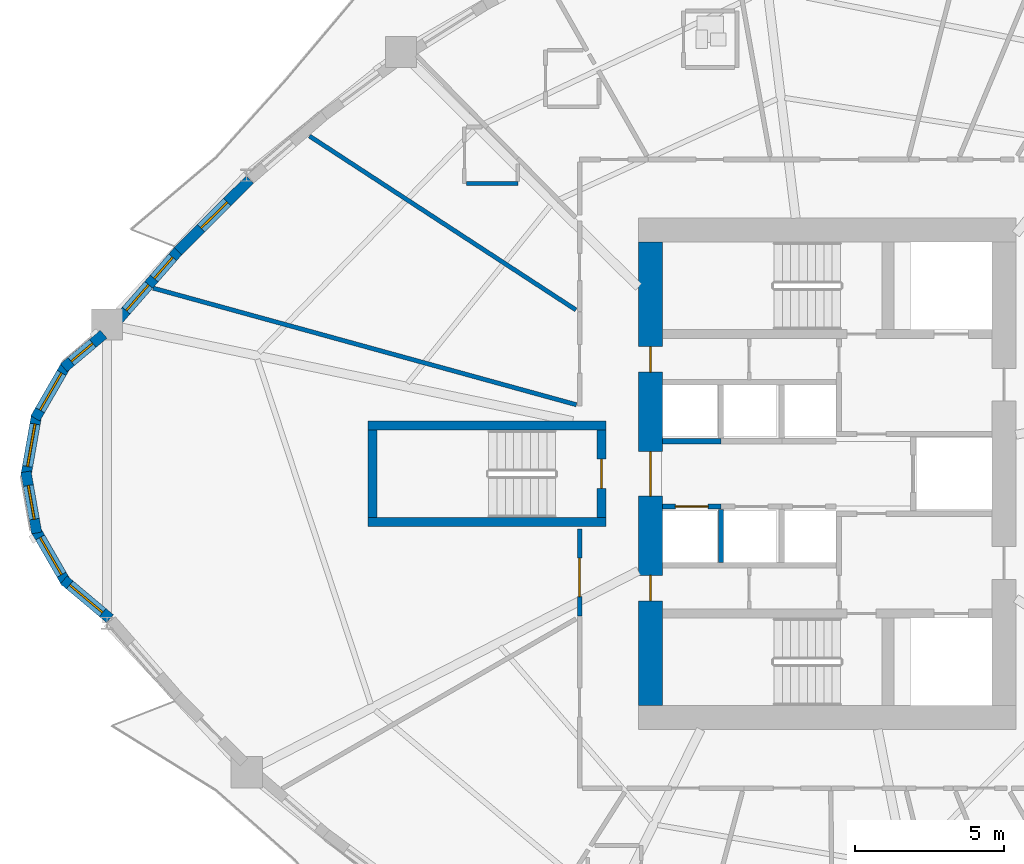
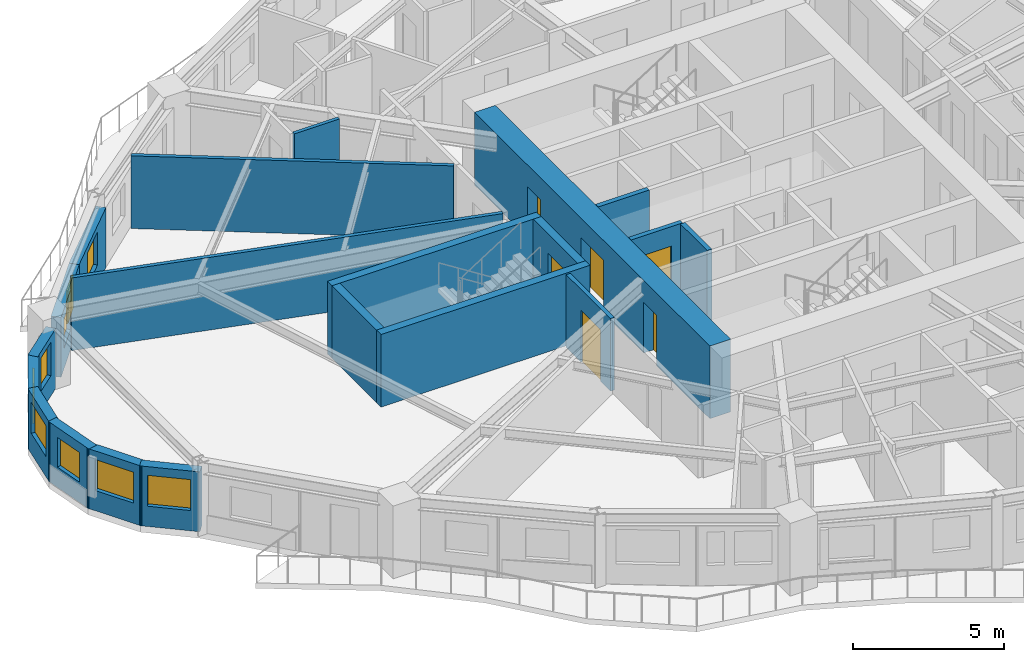
# One storey, part 4 of 13: 20 walls, 9 windows, 6 doors, 15 openings.
"""IFC4 building model written with IfcOpenShell, lengths in metres."""

from ifc_helpers import new_model, si_unit, direction, frame, frame_2d, origin, place, context, subcontext, project, spatial, rectangle, extrude, source, transform, mapped, material, layer, layer_set, type_object, element, fill, save


model = new_model("IFC4")

# Units and contexts
model_context = context("Model", 3, precision=1e-05, world=origin(), true_north=direction((0.0, 1.0)))
body_context = subcontext(model_context, "Body", "Model", "MODEL_VIEW")
ifc_project = project(units=[si_unit("LENGTHUNIT", "METRE"), si_unit("AREAUNIT", "SQUARE_METRE"), si_unit("VOLUMEUNIT", "CUBIC_METRE"), si_unit("PLANEANGLEUNIT", "RADIAN"), si_unit("MASSUNIT", "GRAM", prefix="KILO")], contexts=[model_context])

# Site, building, storey
site_placement = place(None, origin())
site = spatial("IfcSite", under=ifc_project, at=site_placement, CompositionType="ELEMENT")
building_placement = place(site_placement, origin())
building = spatial("IfcBuilding", under=site, at=building_placement, Name="Qafzar Sky-Pleat Residences", CompositionType="ELEMENT")
storey_placement = place(building_placement, frame((0.0, 0.0, 46.199951171875)))
storey = spatial("IfcBuildingStorey", under=building, at=storey_placement, Name="L13", CompositionType="ELEMENT", Elevation=46.199951171875)

# Wall, opening, door
ifc_material_1 = material(Name="Acoustic gypsum plasterboard partition", Category="gypsum")
ifc_layer_1 = layer(ifc_material_1, 0.159912109375)
ifc_layer_set_1 = layer_set([ifc_layer_1], Name="Acoustic gypsum plasterboard partition")
wall_type_1 = type_object("IfcWallType", Name="PART-COR-160", PredefinedType="PARTITIONING", material=ifc_layer_set_1)
wall_1_placement = place(storey_placement, frame((22.02001953125, 21.220947265625, 0.0), z_axis=(0.0, 0.0, 1.0), x_axis=(0.0, 1.0, 0.0)))
wall_1 = element("IfcWall", 1, at=wall_1_placement, inside=storey, type_object=wall_type_1, Name="L13 Partition Wall PART-L13-PW-009", PredefinedType="PARTITIONING", context=body_context, shape_type="SweptSolid", body=[
    extrude(rectangle(XDim=2.928955078125, YDim=0.159912109375, at=frame_2d((1.46435546875, 0.0))), origin(), (0.0, 0.0, 1.0), 2.93994140625),
])
opening_1_placement = place(wall_1_placement, frame((0.64501953125, 0.0, 0.0)))
opening_1 = element("IfcOpeningElement", 2, at=opening_1_placement, cuts=wall_1, Name="Opening ID-05", PredefinedType="OPENING", context=body_context, shape_type="SweptSolid", body=[
    extrude(rectangle(XDim=1.300048828125, YDim=2.10009765625, at=frame_2d((0.64990234375, 1.050048828125))), frame((0.0, 0.08984375, 0.0), z_axis=(0.0, -1.0, 0.0), x_axis=(1.0, 0.0, 0.0)), (0.0, 0.0, 1.0), 0.179931640625),
])
ifc_material_2 = material(Name="Timber-faced fire door", Category="wood")
door_type_1 = type_object("IfcDoorType", Name="DR-LNG-1300", OperationType="DOUBLE_DOOR_SINGLE_SWING", PredefinedType="DOOR", material=ifc_material_2)
shared_shape_1 = source(origin(), body_context, "Body", "SweptSolid", [
    extrude(rectangle(XDim=1.300048828125, YDim=2.10009765625, at=frame_2d((0.64990234375, 1.050048828125))), frame((0.0, 0.02490234375, 0.0), z_axis=(0.0, -1.0, 0.0), x_axis=(1.0, 0.0, 0.0)), (0.0, 0.0, 1.0), 0.050048828125),
])
door_1_placement = place(opening_1_placement, origin())
door_1 = element("IfcDoor", 3, at=door_1_placement, inside=storey, type_object=door_type_1, Name="L13 Academic Seminar Room Door", OperationType="DOUBLE_DOOR_SINGLE_SWING", OverallHeight=2.10009765625, OverallWidth=1.300048828125, PredefinedType="DOOR", context=body_context, shape_type="MappedRepresentation", body=[
    mapped(shared_shape_1, transform((0.0, 0.0, 0.0), x_axis=(1.0, 0.0, 0.0), y_axis=(0.0, 1.0, 0.0), z_axis=(0.0, 0.0, 1.0), scale=1.0)),
])
fill(opening_1, door_1)

ifc_material_3 = material(Name="Concrete blockwork partition", Category="masonry")
ifc_layer_2 = layer(ifc_material_3, 0.179931640625)
ifc_layer_set_2 = layer_set([ifc_layer_2], Name="Concrete blockwork partition")
wall_type_2 = type_object("IfcWallType", Name="PART-SHAFT-180", PredefinedType="PARTITIONING", material=ifc_layer_set_2)
wall_2_placement = place(storey_placement, frame((24.81005859375, 24.89990234375, 0.0), z_axis=(0.0, 0.0, 1.0), x_axis=(1.0, 0.0, 0.0)))
wall_2 = element("IfcWall", 4, at=wall_2_placement, inside=storey, type_object=wall_type_2, Name="L13 Partition Wall PART-L13-P1-N", PredefinedType="PARTITIONING", context=body_context, shape_type="SweptSolid", body=[
    extrude(rectangle(XDim=1.96484375, YDim=0.179931640625, at=frame_2d((0.982421875, 0.0))), origin(), (0.0, 0.0, 1.0), 2.93994140625),
])
opening_2_placement = place(wall_2_placement, frame((0.4326171875, 0.0, 0.0)))
opening_2 = element("IfcOpeningElement", 5, at=opening_2_placement, cuts=wall_2, Name="Opening LD-01", PredefinedType="OPENING", context=body_context, shape_type="SweptSolid", body=[
    extrude(rectangle(XDim=1.10009765625, YDim=2.14990234375, at=frame_2d((0.550048828125, 1.074951171875))), frame((0.0, 0.10009765625, 0.0), z_axis=(0.0, -1.0, 0.0), x_axis=(1.0, 0.0, 0.0)), (0.0, 0.0, 1.0), 0.199951171875),
])
ifc_material_4 = material(Name="Stainless steel sliding landing door", Category="steel")
door_type_2 = type_object("IfcDoorType", Name="DR-LIFT-P", OperationType="DOUBLE_DOOR_SLIDING", PredefinedType="DOOR", material=ifc_material_4)
shared_shape_2 = source(origin(), body_context, "Body", "SweptSolid", [
    extrude(rectangle(XDim=1.10009765625, YDim=2.14990234375, at=frame_2d((0.550048828125, 1.074951171875))), frame((0.0, 0.02490234375, 0.0), z_axis=(0.0, -1.0, 0.0), x_axis=(1.0, 0.0, 0.0)), (0.0, 0.0, 1.0), 0.050048828125),
])
door_2_placement = place(opening_2_placement, origin())
door_2 = element("IfcDoor", 6, at=door_2_placement, inside=storey, type_object=door_type_2, Name="L13 Passenger Lift P1 Landing Door", OperationType="DOUBLE_DOOR_SLIDING", OverallHeight=2.14990234375, OverallWidth=1.10009765625, PredefinedType="DOOR", context=body_context, shape_type="MappedRepresentation", body=[
    mapped(shared_shape_2, transform((0.0, 0.0, 0.0), x_axis=(1.0, 0.0, 0.0), y_axis=(0.0, 1.0, 0.0), z_axis=(0.0, 0.0, 1.0), scale=1.0)),
])
fill(opening_2, door_2)

# Walls
wall_3_placement = place(storey_placement, frame((26.77490234375, 23.02001953125, 0.0), z_axis=(0.0, 0.0, 1.0), x_axis=(0.0, 1.0, 0.0)))
element("IfcWall", 7, at=wall_3_placement, inside=storey, type_object=wall_type_2, Name="L13 Partition Wall PART-L13-P13-DIV-1", PredefinedType="PARTITIONING", context=body_context, shape_type="SweptSolid", body=[
    extrude(rectangle(XDim=1.780029296875, YDim=0.179931640625, at=frame_2d((0.89013671875, 0.0))), origin(), (0.0, 0.0, 1.0), 2.93994140625),
])
wall_4_placement = place(storey_placement, frame((24.81005859375, 27.10009765625, 0.0), z_axis=(0.0, 0.0, 1.0), x_axis=(1.0, 0.0, 0.0)))
element("IfcWall", 8, at=wall_4_placement, inside=storey, type_object=wall_type_2, Name="L13 Partition Wall PART-L13-P4-S", PredefinedType="PARTITIONING", context=body_context, shape_type="SweptSolid", body=[
    extrude(rectangle(XDim=1.96484375, YDim=0.179931640625, at=frame_2d((0.982421875, 0.0))), origin(), (0.0, 0.0, 1.0), 2.93994140625),
])
ifc_layer_3 = layer(ifc_material_1, 0.14501953125)
ifc_layer_set_3 = layer_set([ifc_layer_3], Name="Acoustic gypsum plasterboard partition")
wall_type_3 = type_object("IfcWallType", Name="PART-UNIT-145", PredefinedType="PARTITIONING", material=ifc_layer_set_3)
wall_5_placement = place(storey_placement, frame((7.668212890625, 32.247802734375, 0.0), z_axis=(0.0, 0.0, 1.0), x_axis=(0.964084579717, -0.265595412521, 0.0)))
element("IfcWall", 9, at=wall_5_placement, inside=storey, type_object=wall_type_3, Name="L13 Partition Wall PART-L13-PW-030", PredefinedType="PARTITIONING", context=body_context, shape_type="SweptSolid", body=[
    extrude(rectangle(XDim=14.775634765625, YDim=0.14501953125, at=frame_2d((7.3876953125, 0.0))), origin(), (0.0, 0.0, 1.0), 2.93994140625),
])
wall_6_placement = place(storey_placement, frame((12.9287109375, 37.36474609375, 0.0), z_axis=(0.0, 0.0, 1.0), x_axis=(0.83754252852, -0.54637213776, 0.0)))
element("IfcWall", 10, at=wall_6_placement, inside=storey, type_object=wall_type_3, Name="L13 Partition Wall PART-L13-PW-036", PredefinedType="PARTITIONING", context=body_context, shape_type="SweptSolid", body=[
    extrude(rectangle(XDim=10.7041015625, YDim=0.14501953125, at=frame_2d((5.35205078125, 0.0))), origin(), (0.0, 0.0, 1.0), 2.93994140625),
])
ifc_material_5 = material(Name="Moisture-resistant gypsum partition", Category="gypsum")
ifc_layer_4 = layer(ifc_material_5, 0.1298828125)
ifc_layer_set_4 = layer_set([ifc_layer_4], Name="Moisture-resistant gypsum partition")
wall_type_4 = type_object("IfcWallType", Name="PART-WET-130", PredefinedType="PARTITIONING", material=ifc_layer_set_4)
wall_7_placement = place(storey_placement, frame((18.2109375, 35.763916015625, 0.0), z_axis=(0.0, 0.0, 1.0), x_axis=(1.0, 0.0, 0.0)))
element("IfcWall", 11, at=wall_7_placement, inside=storey, type_object=wall_type_4, Name="L13 Partition Wall PART-L13-PW-066", PredefinedType="PARTITIONING", context=body_context, shape_type="SweptSolid", body=[
    extrude(rectangle(XDim=1.72705078125, YDim=0.1298828125, at=frame_2d((0.863525390625, 0.0))), origin(), (0.0, 0.0, 1.0), 2.93994140625),
])

# Wall, opening, window
ifc_material_6 = material(Name="Precast concrete C40/50 with honed Riyadh limestone", Category="concrete")
ifc_layer_5 = layer(ifc_material_6, 0.35009765625)
ifc_layer_set_5 = layer_set([ifc_layer_5], Name="Precast concrete C40/50 with honed Riyadh limestone")
wall_type_5 = type_object("IfcWallType", Name="WALL-EXT-350", PredefinedType="SOLIDWALL", material=ifc_layer_set_5)
wall_8_placement = place(storey_placement, frame((6.002685546875, 30.696044921875, 0.0), z_axis=(0.0, 0.0, 1.0), x_axis=(-0.766001205563, -0.64283913468, 0.0)))
wall_8 = element("IfcWall", 12, at=wall_8_placement, inside=storey, type_object=wall_type_5, Name="L13 Limestone Facade Wall 1", PredefinedType="SOLIDWALL", context=body_context, shape_type="SweptSolid", body=[
    extrude(rectangle(XDim=1.75244140625, YDim=0.35009765625, at=frame_2d((0.876220703125, 0.0))), origin(), (0.0, 0.0, 1.0), 2.420166015625),
])
opening_3_placement = place(wall_8_placement, frame((0.476318359375, 0.0, 0.820068359375)))
opening_3 = element("IfcOpeningElement", 13, at=opening_3_placement, cuts=wall_8, Name="Opening WN-12", PredefinedType="OPENING", context=body_context, shape_type="SweptSolid", body=[
    extrude(rectangle(XDim=0.949951171875, YDim=1.35009765625, at=frame_2d((0.47509765625, 0.675048828125))), frame((0.0, 0.18505859375, 0.0), z_axis=(0.0, -1.0, 0.0), x_axis=(1.0, 0.0, 0.0)), (0.0, 0.0, 1.0), 0.3701171875),
])
ifc_material_7 = material(Name="Solar-control low-E glass in bronze aluminium frame", Category="glass")
window_type_1 = type_object("IfcWindowType", Name="WIN-12", PartitioningType="SINGLE_PANEL", PredefinedType="WINDOW", material=ifc_material_7)
shared_shape_3 = source(origin(), body_context, "Body", "SweptSolid", [
    extrude(rectangle(XDim=0.949951171875, YDim=1.35009765625, at=frame_2d((0.47509765625, 0.675048828125))), frame((0.0, 0.030029296875, 0.0), z_axis=(0.0, -1.0, 0.0), x_axis=(1.0, 0.0, 0.0)), (0.0, 0.0, 1.0), 0.06005859375),
])
window_1_placement = place(opening_3_placement, origin())
window_1 = element("IfcWindow", 14, at=window_1_placement, inside=storey, type_object=window_type_1, Name="L13 Punched Facade Window 01", OverallHeight=1.35009765625, OverallWidth=0.949951171875, PartitioningType="SINGLE_PANEL", PredefinedType="WINDOW", context=body_context, shape_type="MappedRepresentation", body=[
    mapped(shared_shape_3, transform((0.0, 0.0, 0.0), x_axis=(1.0, 0.0, 0.0), y_axis=(0.0, 1.0, 0.0), z_axis=(0.0, 0.0, 1.0), scale=1.0)),
])
fill(opening_3, window_1)

wall_9_placement = place(storey_placement, frame((4.74755859375, 29.673583984375, 0.0), z_axis=(0.0, 0.0, 1.0), x_axis=(-0.499995423472, -0.866028046028, 0.0)))
wall_9 = element("IfcWall", 15, at=wall_9_placement, inside=storey, type_object=wall_type_5, Name="L13 Limestone Facade Wall 2", PredefinedType="SOLIDWALL", context=body_context, shape_type="SweptSolid", body=[
    extrude(rectangle(XDim=2.09033203125, YDim=0.35009765625, at=frame_2d((1.045166015625, 0.0))), origin(), (0.0, 0.0, 1.0), 2.420166015625),
])
opening_4_placement = place(wall_9_placement, frame((0.3203125, 0.0, 0.820068359375)))
opening_4 = element("IfcOpeningElement", 16, at=opening_4_placement, cuts=wall_9, Name="Opening WN-15", PredefinedType="OPENING", context=body_context, shape_type="SweptSolid", body=[
    extrude(rectangle(XDim=1.449951171875, YDim=1.25, at=frame_2d((0.72509765625, 0.625))), frame((0.0, 0.18505859375, 0.0), z_axis=(0.0, -1.0, 0.0), x_axis=(1.0, 0.0, 0.0)), (0.0, 0.0, 1.0), 0.3701171875),
])
window_type_2 = type_object("IfcWindowType", Name="WIN-15", PartitioningType="SINGLE_PANEL", PredefinedType="WINDOW", material=ifc_material_7)
shared_shape_4 = source(origin(), body_context, "Body", "SweptSolid", [
    extrude(rectangle(XDim=1.449951171875, YDim=1.25, at=frame_2d((0.72509765625, 0.625))), frame((0.0, 0.030029296875, 0.0), z_axis=(0.0, -1.0, 0.0), x_axis=(1.0, 0.0, 0.0)), (0.0, 0.0, 1.0), 0.06005859375),
])
window_2_placement = place(opening_4_placement, origin())
window_2 = element("IfcWindow", 17, at=window_2_placement, inside=storey, type_object=window_type_2, Name="L13 Punched Facade Window 02", OverallHeight=1.25, OverallWidth=1.449951171875, PartitioningType="SINGLE_PANEL", PredefinedType="WINDOW", context=body_context, shape_type="MappedRepresentation", body=[
    mapped(shared_shape_4, transform((0.0, 0.0, 0.0), x_axis=(1.0, 0.0, 0.0), y_axis=(0.0, 1.0, 0.0), z_axis=(0.0, 0.0, 1.0), scale=1.0)),
])
fill(opening_4, window_2)

wall_10_placement = place(storey_placement, frame((3.748779296875, 27.99072265625, 0.0), z_axis=(0.0, 0.0, 1.0), x_axis=(-0.173672066494, -0.984803540469, 0.0)))
wall_10 = element("IfcWall", 18, at=wall_10_placement, inside=storey, type_object=wall_type_5, Name="L13 Limestone Facade Wall 3", PredefinedType="SOLIDWALL", context=body_context, shape_type="SweptSolid", body=[
    extrude(rectangle(XDim=2.09033203125, YDim=0.35009765625, at=frame_2d((1.045166015625, 0.0))), origin(), (0.0, 0.0, 1.0), 2.420166015625),
])
opening_5_placement = place(wall_10_placement, frame((0.3203125, 0.0, 0.820068359375)))
opening_5 = element("IfcOpeningElement", 19, at=opening_5_placement, cuts=wall_10, Name="Opening WN-15", PredefinedType="OPENING", context=body_context, shape_type="SweptSolid", body=[
    extrude(rectangle(XDim=1.449951171875, YDim=1.25, at=frame_2d((0.72509765625, 0.625))), frame((0.0, 0.18505859375, 0.0), z_axis=(0.0, -1.0, 0.0), x_axis=(1.0, 0.0, 0.0)), (0.0, 0.0, 1.0), 0.3701171875),
])
window_3_placement = place(opening_5_placement, origin())
window_3 = element("IfcWindow", 20, at=window_3_placement, inside=storey, type_object=window_type_2, Name="L13 Punched Facade Window 03", OverallHeight=1.25, OverallWidth=1.449951171875, PartitioningType="SINGLE_PANEL", PredefinedType="WINDOW", context=body_context, shape_type="MappedRepresentation", body=[
    mapped(shared_shape_4, transform((0.0, 0.0, 0.0), x_axis=(1.0, 0.0, 0.0), y_axis=(0.0, 1.0, 0.0), z_axis=(0.0, 0.0, 1.0), scale=1.0)),
])
fill(opening_5, window_3)

wall_11_placement = place(storey_placement, frame((3.3857421875, 26.06787109375, 0.0), z_axis=(0.0, 0.0, 1.0), x_axis=(0.173672066494, -0.984803540469, 0.0)))
wall_11 = element("IfcWall", 21, at=wall_11_placement, inside=storey, type_object=wall_type_5, Name="L13 Limestone Facade Wall 4", PredefinedType="SOLIDWALL", context=body_context, shape_type="SweptSolid", body=[
    extrude(rectangle(XDim=2.09033203125, YDim=0.35009765625, at=frame_2d((1.045166015625, 0.0))), origin(), (0.0, 0.0, 1.0), 2.420166015625),
])
opening_6_placement = place(wall_11_placement, frame((0.47021484375, 0.0, 0.820068359375)))
opening_6 = element("IfcOpeningElement", 22, at=opening_6_placement, cuts=wall_11, Name="Opening WN-16", PredefinedType="OPENING", context=body_context, shape_type="SweptSolid", body=[
    extrude(rectangle(XDim=1.14990234375, YDim=1.199951171875, at=frame_2d((0.574951171875, 0.60009765625))), frame((0.0, 0.18505859375, 0.0), z_axis=(0.0, -1.0, 0.0), x_axis=(1.0, 0.0, 0.0)), (0.0, 0.0, 1.0), 0.3701171875),
])
window_type_3 = type_object("IfcWindowType", Name="WIN-16", PartitioningType="SINGLE_PANEL", PredefinedType="WINDOW", material=ifc_material_7)
shared_shape_5 = source(origin(), body_context, "Body", "SweptSolid", [
    extrude(rectangle(XDim=1.14990234375, YDim=1.199951171875, at=frame_2d((0.574951171875, 0.60009765625))), frame((0.0, 0.030029296875, 0.0), z_axis=(0.0, -1.0, 0.0), x_axis=(1.0, 0.0, 0.0)), (0.0, 0.0, 1.0), 0.06005859375),
])
window_4_placement = place(opening_6_placement, origin())
window_4 = element("IfcWindow", 23, at=window_4_placement, inside=storey, type_object=window_type_3, Name="L13 Punched Facade Window 04", OverallHeight=1.199951171875, OverallWidth=1.14990234375, PartitioningType="SINGLE_PANEL", PredefinedType="WINDOW", context=body_context, shape_type="MappedRepresentation", body=[
    mapped(shared_shape_5, transform((0.0, 0.0, 0.0), x_axis=(1.0, 0.0, 0.0), y_axis=(0.0, 1.0, 0.0), z_axis=(0.0, 0.0, 1.0), scale=1.0)),
])
fill(opening_6, window_4)

wall_12_placement = place(storey_placement, frame((3.702392578125, 24.13671875, 0.0), z_axis=(0.0, 0.0, 1.0), x_axis=(0.499995423472, -0.866028046028, 0.0)))
wall_12 = element("IfcWall", 24, at=wall_12_placement, inside=storey, type_object=wall_type_5, Name="L13 Limestone Facade Wall 5", PredefinedType="SOLIDWALL", context=body_context, shape_type="SweptSolid", body=[
    extrude(rectangle(XDim=2.09033203125, YDim=0.35009765625, at=frame_2d((1.045166015625, 0.0))), origin(), (0.0, 0.0, 1.0), 2.420166015625),
])
opening_7_placement = place(wall_12_placement, frame((0.3203125, 0.0, 0.820068359375)))
opening_7 = element("IfcOpeningElement", 25, at=opening_7_placement, cuts=wall_12, Name="Opening WN-15", PredefinedType="OPENING", context=body_context, shape_type="SweptSolid", body=[
    extrude(rectangle(XDim=1.449951171875, YDim=1.25, at=frame_2d((0.72509765625, 0.625))), frame((0.0, 0.18505859375, 0.0), z_axis=(0.0, -1.0, 0.0), x_axis=(1.0, 0.0, 0.0)), (0.0, 0.0, 1.0), 0.3701171875),
])
window_5_placement = place(opening_7_placement, origin())
window_5 = element("IfcWindow", 26, at=window_5_placement, inside=storey, type_object=window_type_2, Name="L13 Punched Facade Window 05", OverallHeight=1.25, OverallWidth=1.449951171875, PartitioningType="SINGLE_PANEL", PredefinedType="WINDOW", context=body_context, shape_type="MappedRepresentation", body=[
    mapped(shared_shape_4, transform((0.0, 0.0, 0.0), x_axis=(1.0, 0.0, 0.0), y_axis=(0.0, 1.0, 0.0), z_axis=(0.0, 0.0, 1.0), scale=1.0)),
])
fill(opening_7, window_5)

wall_13_placement = place(storey_placement, frame((4.660400390625, 22.430419921875, 0.0), z_axis=(0.0, 0.0, 1.0), x_axis=(0.766040796373, -0.642791955684, 0.0)))
wall_13 = element("IfcWall", 27, at=wall_13_placement, inside=storey, type_object=wall_type_5, Name="L13 Limestone Facade Wall 6", PredefinedType="SOLIDWALL", context=body_context, shape_type="SweptSolid", body=[
    extrude(rectangle(XDim=2.032470703125, YDim=0.35009765625, at=frame_2d((1.01611328125, 0.0))), origin(), (0.0, 0.0, 1.0), 2.420166015625),
])
opening_8_placement = place(wall_13_placement, frame((0.26123046875, 0.0, 0.820068359375)))
opening_8 = element("IfcOpeningElement", 28, at=opening_8_placement, cuts=wall_13, Name="Opening WN-15", PredefinedType="OPENING", context=body_context, shape_type="SweptSolid", body=[
    extrude(rectangle(XDim=1.449951171875, YDim=1.25, at=frame_2d((0.72509765625, 0.625))), frame((0.0, 0.18505859375, 0.0), z_axis=(0.0, -1.0, 0.0), x_axis=(1.0, 0.0, 0.0)), (0.0, 0.0, 1.0), 0.3701171875),
])
window_6_placement = place(opening_8_placement, origin())
window_6 = element("IfcWindow", 29, at=window_6_placement, inside=storey, type_object=window_type_2, Name="L13 Punched Facade Window 06", OverallHeight=1.25, OverallWidth=1.449951171875, PartitioningType="SINGLE_PANEL", PredefinedType="WINDOW", context=body_context, shape_type="MappedRepresentation", body=[
    mapped(shared_shape_4, transform((0.0, 0.0, 0.0), x_axis=(1.0, 0.0, 0.0), y_axis=(0.0, 1.0, 0.0), z_axis=(0.0, 0.0, 1.0), scale=1.0)),
])
fill(opening_8, window_6)

wall_14_placement = place(storey_placement, frame((10.924072265625, 35.9033203125, 0.0), z_axis=(0.0, 0.0, 1.0), x_axis=(-0.708390611179, -0.705820616016, 0.0)))
wall_14 = element("IfcWall", 30, at=wall_14_placement, inside=storey, type_object=wall_type_5, Name="L13 Limestone Facade Wall 47", PredefinedType="SOLIDWALL", context=body_context, shape_type="SweptSolid", body=[
    extrude(rectangle(XDim=3.419921875, YDim=0.35009765625, at=frame_2d((1.7099609375, 0.0))), origin(), (0.0, 0.0, 1.0), 2.420166015625),
])
opening_9_placement = place(wall_14_placement, frame((1.074951171875, 0.0, 0.820068359375)))
opening_9 = element("IfcOpeningElement", 31, at=opening_9_placement, cuts=wall_14, Name="Opening WN-11", PredefinedType="OPENING", context=body_context, shape_type="SweptSolid", body=[
    extrude(rectangle(XDim=1.25, YDim=1.35009765625, at=frame_2d((0.625, 0.675048828125))), frame((0.0, 0.18505859375, 0.0), z_axis=(0.0, -1.0, 0.0), x_axis=(1.0, 0.0, 0.0)), (0.0, 0.0, 1.0), 0.3701171875),
])
window_type_4 = type_object("IfcWindowType", Name="WIN-11", PartitioningType="SINGLE_PANEL", PredefinedType="WINDOW", material=ifc_material_7)
shared_shape_6 = source(origin(), body_context, "Body", "SweptSolid", [
    extrude(rectangle(XDim=1.25, YDim=1.35009765625, at=frame_2d((0.625, 0.675048828125))), frame((0.0, 0.030029296875, 0.0), z_axis=(0.0, -1.0, 0.0), x_axis=(1.0, 0.0, 0.0)), (0.0, 0.0, 1.0), 0.06005859375),
])
window_7_placement = place(opening_9_placement, origin())
window_7 = element("IfcWindow", 32, at=window_7_placement, inside=storey, type_object=window_type_4, Name="L13 Punched Facade Window 47", OverallHeight=1.35009765625, OverallWidth=1.25, PartitioningType="SINGLE_PANEL", PredefinedType="WINDOW", context=body_context, shape_type="MappedRepresentation", body=[
    mapped(shared_shape_6, transform((0.0, 0.0, 0.0), x_axis=(1.0, 0.0, 0.0), y_axis=(0.0, 1.0, 0.0), z_axis=(0.0, 0.0, 1.0), scale=1.0)),
])
fill(opening_9, window_7)

# Wall, openings, windows
wall_15_placement = place(storey_placement, frame((8.5615234375, 33.5537109375, 0.0), z_axis=(0.0, 0.0, 1.0), x_axis=(-0.657600137419, -0.753367147722, 0.0)))
wall_15 = element("IfcWall", 33, at=wall_15_placement, inside=storey, type_object=wall_type_5, Name="L13 Limestone Facade Wall 48", PredefinedType="SOLIDWALL", context=body_context, shape_type="SweptSolid", body=[
    extrude(rectangle(XDim=3.212158203125, YDim=0.35009765625, at=frame_2d((1.60595703125, 0.0))), origin(), (0.0, 0.0, 1.0), 2.420166015625),
])
opening_10_placement = place(wall_15_placement, frame((0.355712890625, 0.0, 0.820068359375)))
opening_10 = element("IfcOpeningElement", 34, at=opening_10_placement, cuts=wall_15, Name="Opening WN-12", PredefinedType="OPENING", context=body_context, shape_type="SweptSolid", body=[
    extrude(rectangle(XDim=0.949951171875, YDim=1.35009765625, at=frame_2d((0.47509765625, 0.675048828125))), frame((0.0, 0.18505859375, 0.0), z_axis=(0.0, -1.0, 0.0), x_axis=(1.0, 0.0, 0.0)), (0.0, 0.0, 1.0), 0.3701171875),
])
opening_11_placement = place(wall_15_placement, frame((1.587158203125, 0.0, 0.820068359375)))
opening_11 = element("IfcOpeningElement", 35, at=opening_11_placement, cuts=wall_15, Name="Opening WN-16", PredefinedType="OPENING", context=body_context, shape_type="SweptSolid", body=[
    extrude(rectangle(XDim=1.14990234375, YDim=1.199951171875, at=frame_2d((0.574951171875, 0.60009765625))), frame((0.0, 0.18505859375, 0.0), z_axis=(0.0, -1.0, 0.0), x_axis=(1.0, 0.0, 0.0)), (0.0, 0.0, 1.0), 0.3701171875),
])
window_8_placement = place(opening_10_placement, origin())
window_8 = element("IfcWindow", 36, at=window_8_placement, inside=storey, type_object=window_type_1, Name="L13 Punched Facade Window 48", OverallHeight=1.35009765625, OverallWidth=0.949951171875, PartitioningType="SINGLE_PANEL", PredefinedType="WINDOW", context=body_context, shape_type="MappedRepresentation", body=[
    mapped(shared_shape_3, transform((0.0, 0.0, 0.0), x_axis=(1.0, 0.0, 0.0), y_axis=(0.0, 1.0, 0.0), z_axis=(0.0, 0.0, 1.0), scale=1.0)),
])
fill(opening_10, window_8)
window_9_placement = place(opening_11_placement, origin())
window_9 = element("IfcWindow", 37, at=window_9_placement, inside=storey, type_object=window_type_3, Name="L13 Punched Facade Window 48-2", OverallHeight=1.199951171875, OverallWidth=1.14990234375, PartitioningType="SINGLE_PANEL", PredefinedType="WINDOW", context=body_context, shape_type="MappedRepresentation", body=[
    mapped(shared_shape_5, transform((0.0, 0.0, 0.0), x_axis=(1.0, 0.0, 0.0), y_axis=(0.0, 1.0, 0.0), z_axis=(0.0, 0.0, 1.0), scale=1.0)),
])
fill(opening_11, window_9)

# Walls
ifc_material_8 = material(Name="Concrete C60/75", Category="concrete")
ifc_layer_6 = layer(ifc_material_8, 0.300048828125)
ifc_layer_set_6 = layer_set([ifc_layer_6], Name="Concrete C60/75")
wall_type_6 = type_object("IfcWallType", Name="WALL-SHEAR-300", PredefinedType="SHEAR", material=ifc_layer_set_6)
for number, where, z_axis, x_axis, name in (
    (38, (14.89990234375, 24.375, 0.0), (0.0, 0.0, 1.0), (1.0, 0.0, 0.0), "L13 ST3 wall S"),
    (39, (22.89990234375, 27.625, 0.0), (0.0, 0.0, 1.0), (-1.0, 0.0, 0.0), "L13 ST3 wall N"),
):
    element("IfcWall", number, at=place(storey_placement, frame(where, z_axis=z_axis, x_axis=x_axis)), inside=storey, type_object=wall_type_6, Name=name, PredefinedType="SHEAR", context=body_context, shape_type="SweptSolid", body=[
        extrude(rectangle(XDim=8.0, YDim=0.300048828125, at=frame_2d((4.0, 0.0))), origin(), (0.0, 0.0, 1.0), 2.93994140625),
    ])
wall_16_placement = place(storey_placement, frame((15.050048828125, 27.47509765625, 0.0), z_axis=(0.0, 0.0, 1.0), x_axis=(0.0, -1.0, 0.0)))
element("IfcWall", 40, at=wall_16_placement, inside=storey, type_object=wall_type_6, Name="L13 ST3 wall W", PredefinedType="SHEAR", context=body_context, shape_type="SweptSolid", body=[
    extrude(rectangle(XDim=2.9501953125, YDim=0.300048828125, at=frame_2d((1.47509765625, 0.0))), origin(), (0.0, 0.0, 1.0), 2.93994140625),
])

# Wall, opening, door
wall_17_placement = place(storey_placement, frame((22.75, 24.52490234375, 0.0), z_axis=(0.0, 0.0, 1.0), x_axis=(0.0, 1.0, 0.0)))
wall_17 = element("IfcWall", 41, at=wall_17_placement, inside=storey, type_object=wall_type_6, Name="L13 ST3 wall E", PredefinedType="SHEAR", context=body_context, shape_type="SweptSolid", body=[
    extrude(rectangle(XDim=2.9501953125, YDim=0.300048828125, at=frame_2d((1.47509765625, 0.0))), origin(), (0.0, 0.0, 1.0), 2.93994140625),
])
opening_12_placement = place(wall_17_placement, frame((0.985107421875, 0.0, 0.0)))
opening_12 = element("IfcOpeningElement", 42, at=opening_12_placement, cuts=wall_17, Name="Opening ID-01", PredefinedType="OPENING", context=body_context, shape_type="SweptSolid", body=[
    extrude(rectangle(XDim=0.97998046875, YDim=2.14990234375, at=frame_2d((0.489990234375, 1.074951171875))), frame((0.0, 0.16015625, 0.0), z_axis=(0.0, -1.0, 0.0), x_axis=(1.0, 0.0, 0.0)), (0.0, 0.0, 1.0), 0.320068359375),
])
door_type_3 = type_object("IfcDoorType", Name="DR-STAIR-980", OperationType="NOTDEFINED", PredefinedType="DOOR", material=ifc_material_2)
shared_shape_7 = source(origin(), body_context, "Body", "SweptSolid", [
    extrude(rectangle(XDim=0.97998046875, YDim=2.14990234375, at=frame_2d((0.489990234375, 1.074951171875))), frame((0.0, 0.02490234375, 0.0), z_axis=(0.0, -1.0, 0.0), x_axis=(1.0, 0.0, 0.0)), (0.0, 0.0, 1.0), 0.050048828125),
])
door_3_placement = place(opening_12_placement, origin())
door_3 = element("IfcDoor", 43, at=door_3_placement, inside=storey, type_object=door_type_3, Name="L13 Stair ST3 Fire Door", OperationType="SINGLE_SWING_RIGHT", OverallHeight=2.14990234375, OverallWidth=0.97998046875, PredefinedType="DOOR", context=body_context, shape_type="MappedRepresentation", body=[
    mapped(shared_shape_7, transform((0.0, 0.0, 0.0), x_axis=(1.0, 0.0, 0.0), y_axis=(0.0, 1.0, 0.0), z_axis=(0.0, 0.0, 1.0), scale=1.0)),
])
fill(opening_12, door_3)

# Wall, openings, doors
ifc_layer_7 = layer(ifc_material_8, 0.800048828125)
ifc_layer_set_7 = layer_set([ifc_layer_7], Name="Concrete C60/75")
wall_type_7 = type_object("IfcWallType", Name="WALL-SHEAR-800", PredefinedType="SHEAR", material=ifc_layer_set_7)
wall_18_placement = place(storey_placement, frame((24.39990234375, 33.800048828125, 0.0), z_axis=(0.0, 0.0, 1.0), x_axis=(0.0, -1.0, 0.0)))
wall_18 = element("IfcWall", 44, at=wall_18_placement, inside=storey, type_object=wall_type_7, Name="L13 CORE wall W", PredefinedType="SHEAR", context=body_context, shape_type="SweptSolid", body=[
    extrude(rectangle(XDim=15.60009765625, YDim=0.800048828125, at=frame_2d((7.800048828125, 0.0))), origin(), (0.0, 0.0, 1.0), 2.93994140625),
])
opening_13_placement = place(wall_18_placement, frame((7.050048828125, 0.0, 0.0)))
opening_13 = element("IfcOpeningElement", 45, at=opening_13_placement, cuts=wall_18, Name="Opening ID-03", PredefinedType="OPENING", context=body_context, shape_type="SweptSolid", body=[
    extrude(rectangle(XDim=1.5, YDim=2.14990234375, at=frame_2d((0.75, 1.074951171875))), frame((0.0, 0.41015625, 0.0), z_axis=(0.0, -1.0, 0.0), x_axis=(1.0, 0.0, 0.0)), (0.0, 0.0, 1.0), 0.820068359375),
])
opening_14_placement = place(wall_18_placement, frame((3.52001953125, 0.0, 0.0)))
opening_14 = element("IfcOpeningElement", 46, at=opening_14_placement, cuts=wall_18, Name="Opening ID-09", PredefinedType="OPENING", context=body_context, shape_type="SweptSolid", body=[
    extrude(rectangle(XDim=0.860107421875, YDim=2.050048828125, at=frame_2d((0.43017578125, 1.02490234375))), frame((0.0, 0.41015625, 0.0), z_axis=(0.0, -1.0, 0.0), x_axis=(1.0, 0.0, 0.0)), (0.0, 0.0, 1.0), 0.820068359375),
])
opening_15_placement = place(wall_18_placement, frame((11.219970703125, 0.0, 0.0)))
opening_15 = element("IfcOpeningElement", 47, at=opening_15_placement, cuts=wall_18, Name="Opening ID-09", PredefinedType="OPENING", context=body_context, shape_type="SweptSolid", body=[
    extrude(rectangle(XDim=0.860107421875, YDim=2.050048828125, at=frame_2d((0.43017578125, 1.02490234375))), frame((0.0, 0.41015625, 0.0), z_axis=(0.0, -1.0, 0.0), x_axis=(1.0, 0.0, 0.0)), (0.0, 0.0, 1.0), 0.820068359375),
])
door_type_4 = type_object("IfcDoorType", Name="DR-COR-1500", OperationType="DOUBLE_DOOR_SINGLE_SWING", PredefinedType="DOOR", material=ifc_material_2)
shared_shape_8 = source(origin(), body_context, "Body", "SweptSolid", [
    extrude(rectangle(XDim=1.5, YDim=2.14990234375, at=frame_2d((0.75, 1.074951171875))), frame((0.0, 0.02490234375, 0.0), z_axis=(0.0, -1.0, 0.0), x_axis=(1.0, 0.0, 0.0)), (0.0, 0.0, 1.0), 0.050048828125),
])
door_4_placement = place(opening_13_placement, origin())
door_4 = element("IfcDoor", 48, at=door_4_placement, inside=storey, type_object=door_type_4, Name="L13 Lift Lobby West Double Door", OperationType="DOUBLE_DOOR_SINGLE_SWING", OverallHeight=2.14990234375, OverallWidth=1.5, PredefinedType="DOOR", context=body_context, shape_type="MappedRepresentation", body=[
    mapped(shared_shape_8, transform((0.0, 0.0, 0.0), x_axis=(1.0, 0.0, 0.0), y_axis=(0.0, 1.0, 0.0), z_axis=(0.0, 0.0, 1.0), scale=1.0)),
])
fill(opening_13, door_4)
door_type_5 = type_object("IfcDoorType", Name="DR-SVC-860", OperationType="NOTDEFINED", PredefinedType="DOOR", material=ifc_material_2)
shared_shape_9 = source(origin(), body_context, "Body", "SweptSolid", [
    extrude(rectangle(XDim=0.860107421875, YDim=2.050048828125, at=frame_2d((0.43017578125, 1.02490234375))), frame((0.0, 0.02490234375, 0.0), z_axis=(0.0, -1.0, 0.0), x_axis=(1.0, 0.0, 0.0)), (0.0, 0.0, 1.0), 0.050048828125),
])
door_5_placement = place(opening_14_placement, origin())
door_5 = element("IfcDoor", 49, at=door_5_placement, inside=storey, type_object=door_type_5, Name="L13 Core North-West Service Door", OperationType="SINGLE_SWING_LEFT", OverallHeight=2.050048828125, OverallWidth=0.860107421875, PredefinedType="DOOR", context=body_context, shape_type="MappedRepresentation", body=[
    mapped(shared_shape_9, transform((0.0, 0.0, 0.0), x_axis=(1.0, 0.0, 0.0), y_axis=(0.0, 1.0, 0.0), z_axis=(0.0, 0.0, 1.0), scale=1.0)),
])
fill(opening_14, door_5)
door_6_placement = place(opening_15_placement, origin())
door_6 = element("IfcDoor", 50, at=door_6_placement, inside=storey, type_object=door_type_5, Name="L13 Core South-West Service Door", OperationType="SINGLE_SWING_RIGHT", OverallHeight=2.050048828125, OverallWidth=0.860107421875, PredefinedType="DOOR", context=body_context, shape_type="MappedRepresentation", body=[
    mapped(shared_shape_9, transform((0.0, 0.0, 0.0), x_axis=(1.0, 0.0, 0.0), y_axis=(0.0, 1.0, 0.0), z_axis=(0.0, 0.0, 1.0), scale=1.0)),
])
fill(opening_15, door_6)

save(model, "model.ifc")
